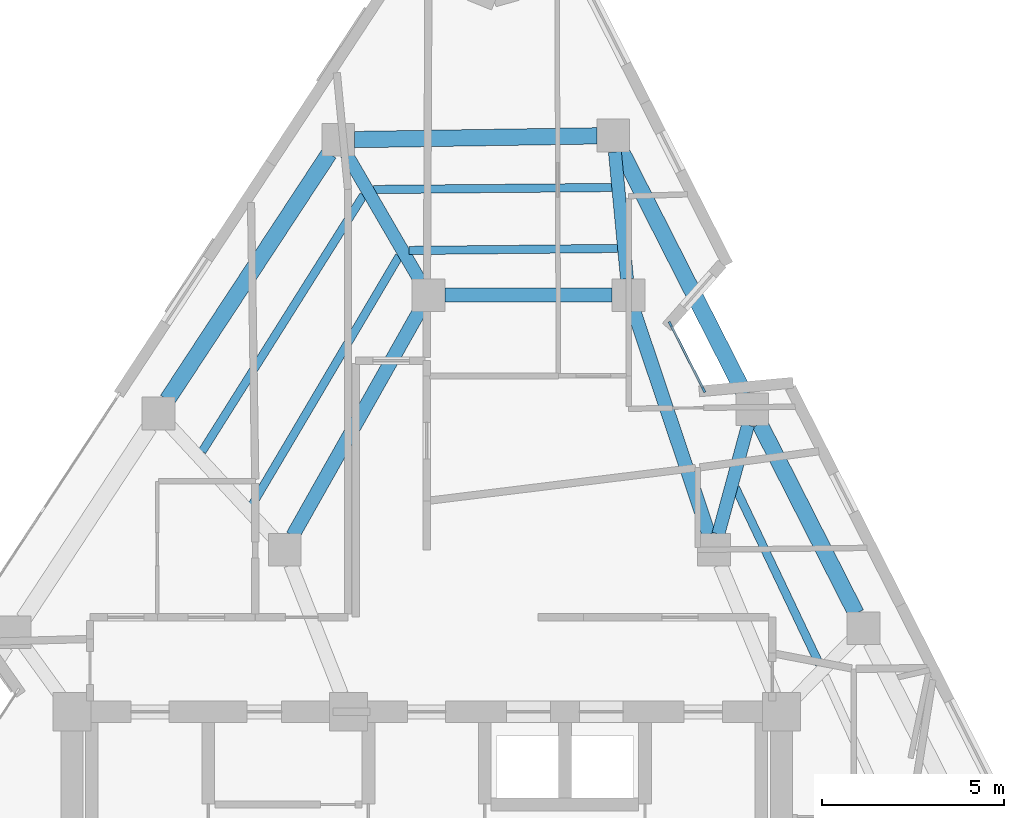
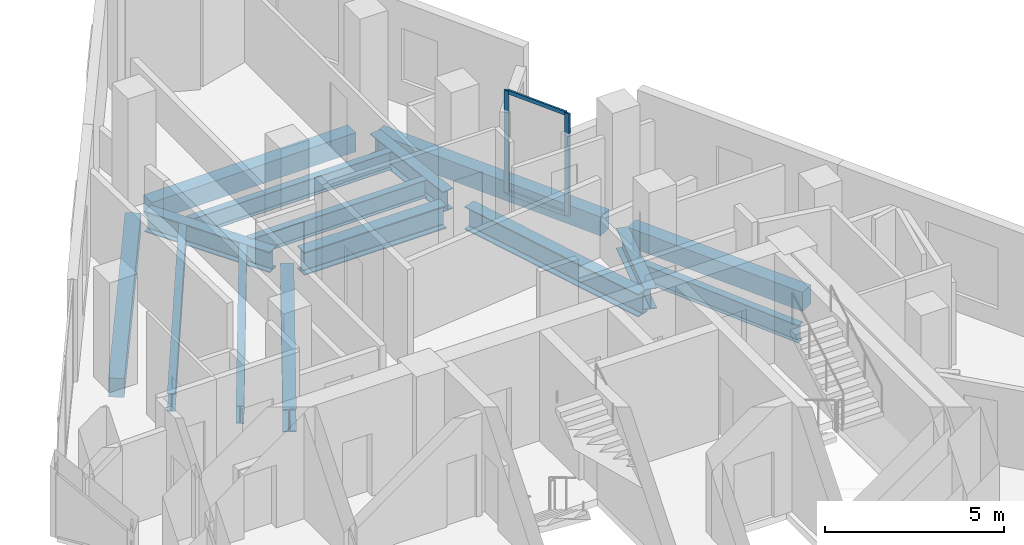
# One storey, part 3 of 9: 15 beams, 4 members, 1 element without a shape of its own.
"""IFC4 building model written with IfcOpenShell, lengths in metres."""

from ifc_helpers import new_model, si_unit, direction, frame, origin, origin_2d, place, context, subcontext, project, spatial, rectangle, i_section, extrude, material, layer, layer_set, material_profile, profile_set, type_object, element, aggregate, save


model = new_model("IFC4")

# Units and contexts
model_context = context("Model", 3, precision=1e-05, world=origin(), true_north=direction((0.0, 1.0)))
body_context = subcontext(model_context, "Body", "Model", "MODEL_VIEW")
ifc_project = project(units=[si_unit("LENGTHUNIT", "METRE"), si_unit("AREAUNIT", "SQUARE_METRE"), si_unit("VOLUMEUNIT", "CUBIC_METRE"), si_unit("PLANEANGLEUNIT", "RADIAN"), si_unit("MASSUNIT", "GRAM", prefix="KILO")], contexts=[model_context])

# Site, building, storey
site_placement = place(None, origin())
site = spatial("IfcSite", under=ifc_project, at=site_placement, CompositionType="ELEMENT")
building_placement = place(site_placement, origin())
building = spatial("IfcBuilding", under=site, at=building_placement, Name="Almagre Mirador Tower", CompositionType="ELEMENT")
storey_placement = place(building_placement, frame((0.0, 0.0, 248.25)))
storey = spatial("IfcBuildingStorey", under=building, at=storey_placement, Name="L64", CompositionType="ELEMENT", Elevation=248.25)

# Beams
ifc_material_1 = material(Name="Steel ASTM A992 Grade 50", Category="steel")
ifc_material_profile_1 = material_profile(ifc_material_1, i_section(OverallWidth=0.22802734375, OverallDepth=0.60791015625, WebThickness=0.01123046875, FlangeThickness=0.017333984375, FilletRadius=0.02001953125, at=origin_2d()), Name="W24X76")
ifc_profile_set_1 = profile_set([ifc_material_profile_1], Name="Steel ASTM A992 Grade 50")
beam_type_1 = type_object("IfcBeamType", Name="BM-JST-W24X76", PredefinedType="JOIST", material=ifc_profile_set_1)
beam_1_placement = place(storey_placement, frame((48.096923828125, 16.055908203125, -0.553955078125), z_axis=(-0.429692090604, 0.902975474347, 0.0), x_axis=(-0.902975474347, -0.429692090604, 0.0)))
element("IfcBeam", 1, at=beam_1_placement, inside=storey, type_object=beam_type_1, Name="L64 secondary floor joist PC06-PC07.2", PredefinedType="JOIST", context=body_context, shape_type="SweptSolid", body=[
    extrude(i_section(OverallWidth=0.22802734375, OverallDepth=0.60791015625, WebThickness=0.01123046875, FlangeThickness=0.017333984375, FilletRadius=0.02001953125, at=origin_2d()), origin(), (0.0, 0.0, 1.0), 5.376708984375),
])
beam_2_placement = place(storey_placement, frame((42.388916015625, 29.15869140625, -0.553955078125), z_axis=(-0.999965111065, -0.008353242024, 0.0), x_axis=(0.008353242024, -0.999965111065, 0.0)))
element("IfcBeam", 2, at=beam_2_placement, inside=storey, type_object=beam_type_1, Name="L64 secondary floor joist PC08-PC09.1", PredefinedType="JOIST", context=body_context, shape_type="SweptSolid", body=[
    extrude(i_section(OverallWidth=0.22802734375, OverallDepth=0.60791015625, WebThickness=0.01123046875, FlangeThickness=0.017333984375, FilletRadius=0.02001953125, at=origin_2d()), origin(), (0.0, 0.0, 1.0), 6.546875),
])
beam_3_placement = place(storey_placement, frame((42.548583984375, 27.483642578125, -0.553955078125), z_axis=(-0.999954093735, -0.009581775524, 0.0), x_axis=(0.009581775524, -0.999954093735, 0.0)))
element("IfcBeam", 3, at=beam_3_placement, inside=storey, type_object=beam_type_1, Name="L64 secondary floor joist PC08-PC09.3", PredefinedType="JOIST", context=body_context, shape_type="SweptSolid", body=[
    extrude(i_section(OverallWidth=0.22802734375, OverallDepth=0.60791015625, WebThickness=0.01123046875, FlangeThickness=0.017333984375, FilletRadius=0.02001953125, at=origin_2d()), origin(), (0.0, 0.0, 1.0), 5.73291015625),
])
beam_4_placement = place(storey_placement, frame((35.56787109375, 28.950927734375, -0.553955078125), z_axis=(-0.53290036914, -0.846177993433, 0.0), x_axis=(0.846177993433, -0.53290036914, 0.0)))
element("IfcBeam", 4, at=beam_4_placement, inside=storey, type_object=beam_type_1, Name="L64 secondary floor joist PC09-PC10.1", PredefinedType="JOIST", context=body_context, shape_type="SweptSolid", body=[
    extrude(i_section(OverallWidth=0.22802734375, OverallDepth=0.60791015625, WebThickness=0.01123046875, FlangeThickness=0.017333984375, FilletRadius=0.02001953125, at=origin_2d()), origin(), (0.0, 0.0, 1.0), 8.326171875),
])
beam_5_placement = place(storey_placement, frame((36.5458984375, 27.272705078125, -0.553955078125), z_axis=(-0.508805836919, -0.86088130443, 0.0), x_axis=(0.86088130443, -0.508805836919, 0.0)))
element("IfcBeam", 5, at=beam_5_placement, inside=storey, type_object=beam_type_1, Name="L64 secondary floor joist PC09-PC10.3", PredefinedType="JOIST", context=body_context, shape_type="SweptSolid", body=[
    extrude(i_section(OverallWidth=0.22802734375, OverallDepth=0.60791015625, WebThickness=0.01123046875, FlangeThickness=0.017333984375, FilletRadius=0.02001953125, at=origin_2d()), origin(), (0.0, 0.0, 1.0), 7.95361328125),
])
ifc_material_2 = material(Name="Precast concrete C50/60", Category="concrete")
ifc_material_profile_2 = material_profile(ifc_material_2, rectangle(XDim=0.449951171875, YDim=0.64990234375, at=origin_2d()), Name="RC450X650")
ifc_profile_set_2 = profile_set([ifc_material_profile_2], Name="Precast concrete C50/60")
beam_type_2 = type_object("IfcBeamType", Name="BM-SPN-RC450X650", PredefinedType="SPANDREL", material=ifc_profile_set_2)
beam_6_placement = place(storey_placement, frame((49.104248046875, 17.4501953125, -0.574951171875), z_axis=(-0.452899170526, 0.891561742863, 0.0), x_axis=(-0.891561742863, -0.452899170526, 0.0)))
element("IfcBeam", 6, at=beam_6_placement, inside=storey, type_object=beam_type_2, Name="L64 perimeter spandrel beam PC06-PC07", PredefinedType="SPANDREL", context=body_context, shape_type="SweptSolid", body=[
    extrude(rectangle(XDim=0.449951171875, YDim=0.64990234375, at=origin_2d()), origin(), (0.0, 0.0, 1.0), 5.84765625),
])
beam_7_placement = place(storey_placement, frame((46.048095703125, 23.46630859375, -0.574951171875), z_axis=(-0.452894484788, 0.891564123128, 0.0), x_axis=(-0.891564123128, -0.452894484788, 0.0)))
element("IfcBeam", 7, at=beam_7_placement, inside=storey, type_object=beam_type_2, Name="L64 perimeter spandrel beam PC07-PC08", PredefinedType="SPANDREL", context=body_context, shape_type="SweptSolid", body=[
    extrude(rectangle(XDim=0.449951171875, YDim=0.64990234375, at=origin_2d()), origin(), (0.0, 0.0, 1.0), 7.534423828125),
])
beam_8_placement = place(storey_placement, frame((41.982177734375, 30.578125, -0.574951171875), z_axis=(-0.999882180075, -0.015350112976, 0.0), x_axis=(0.015350112976, -0.999882180075, 0.0)))
element("IfcBeam", 8, at=beam_8_placement, inside=storey, type_object=beam_type_2, Name="L64 perimeter spandrel beam PC08-PC09", PredefinedType="SPANDREL", context=body_context, shape_type="SweptSolid", body=[
    extrude(rectangle(XDim=0.449951171875, YDim=0.64990234375, at=origin_2d()), origin(), (0.0, 0.0, 1.0), 6.6640625),
])
beam_9_placement = place(storey_placement, frame((34.621826171875, 30.093017578125, -0.574951171875), z_axis=(-0.54903769876, -0.835797586345, 0.0), x_axis=(0.835797586345, -0.54903769876, 0.0)))
element("IfcBeam", 9, at=beam_9_placement, inside=storey, type_object=beam_type_2, Name="L64 perimeter spandrel beam PC09-PC10", PredefinedType="SPANDREL", context=body_context, shape_type="SweptSolid", body=[
    extrude(rectangle(XDim=0.449951171875, YDim=0.64990234375, at=origin_2d()), origin(), (0.0, 0.0, 1.0), 8.097412109375),
])
ifc_material_3 = material(Name="Steel ASTM A992 Grade 50", Category="steel")
ifc_material_profile_3 = material_profile(ifc_material_3, i_section(OverallWidth=0.35791015625, OverallDepth=0.7060546875, WebThickness=0.018310546875, FlangeThickness=0.0302734375, FilletRadius=0.02197265625, at=origin_2d()), Name="W27X178")
ifc_profile_set_3 = profile_set([ifc_material_profile_3], Name="Steel ASTM A992 Grade 50")
beam_type_3 = type_object("IfcBeamType", Name="BM-STL-W27X178", PredefinedType="BEAM", material=ifc_profile_set_3)
beam_10_placement = place(storey_placement, frame((46.1337890625, 22.630859375, -0.60302734375), z_axis=(-0.26264509324, -0.964892509556, 0.0), x_axis=(0.964892509556, -0.26264509324, 0.0)))
element("IfcBeam", 10, at=beam_10_placement, inside=storey, type_object=beam_type_3, Name="L64 radial floor girder PC07-MC5", PredefinedType="BEAM", context=body_context, shape_type="SweptSolid", body=[
    extrude(i_section(OverallWidth=0.35791015625, OverallDepth=0.7060546875, WebThickness=0.018310546875, FlangeThickness=0.0302734375, FilletRadius=0.02197265625, at=origin_2d()), origin(), (0.0, 0.0, 1.0), 3.105712890625),
])
beam_11_placement = place(storey_placement, frame((42.474609375, 30.136962890625, -0.60302734375), z_axis=(0.094943868269, -0.995482627612, 0.0), x_axis=(0.995482627612, 0.094943868269, 0.0)))
element("IfcBeam", 11, at=beam_11_placement, inside=storey, type_object=beam_type_3, Name="L64 radial floor girder PC08-MC6", PredefinedType="BEAM", context=body_context, shape_type="SweptSolid", body=[
    extrude(i_section(OverallWidth=0.35791015625, OverallDepth=0.7060546875, WebThickness=0.018310546875, FlangeThickness=0.0302734375, FilletRadius=0.02197265625, at=origin_2d()), origin(), (0.0, 0.0, 1.0), 3.5048828125),
])
beam_12_placement = place(storey_placement, frame((35.09521484375, 30.079833984375, -0.60302734375), z_axis=(0.502449130804, -0.864606772443, 0.0), x_axis=(0.864606772443, 0.502449130804, 0.0)))
element("IfcBeam", 12, at=beam_12_placement, inside=storey, type_object=beam_type_3, Name="L64 radial floor girder PC09-MC7", PredefinedType="BEAM", context=body_context, shape_type="SweptSolid", body=[
    extrude(i_section(OverallWidth=0.35791015625, OverallDepth=0.7060546875, WebThickness=0.018310546875, FlangeThickness=0.0302734375, FilletRadius=0.02197265625, at=origin_2d()), origin(), (0.0, 0.0, 1.0), 4.037353515625),
])
ifc_material_4 = material(Name="Steel ASTM A992 Grade 50", Category="steel")
ifc_material_profile_4 = material_profile(ifc_material_4, i_section(OverallWidth=0.384033203125, OverallDepth=0.784912109375, WebThickness=0.019775390625, FlangeThickness=0.033447265625, FilletRadius=0.02392578125, at=origin_2d()), Name="W30X211")
ifc_profile_set_4 = profile_set([ifc_material_profile_4], Name="Steel ASTM A992 Grade 50")
beam_type_4 = type_object("IfcBeamType", Name="BM-STL-W30X211", PredefinedType="BEAM", material=ifc_profile_set_4)
beam_13_placement = place(storey_placement, frame((37.800048828125, 26.199951171875, -0.642578125), z_axis=(1.0, 0.0, 0.0), x_axis=(0.0, 1.0, 0.0)))
element("IfcBeam", 13, at=beam_13_placement, inside=storey, type_object=beam_type_4, Name="L64 core tie girder MC7-MC6", PredefinedType="BEAM", context=body_context, shape_type="SweptSolid", body=[
    extrude(i_section(OverallWidth=0.384033203125, OverallDepth=0.784912109375, WebThickness=0.019775390625, FlangeThickness=0.033447265625, FilletRadius=0.02392578125, at=origin_2d()), origin(), (0.0, 0.0, 1.0), 4.599853515625),
])
beam_14_placement = place(storey_placement, frame((42.9931640625, 25.7734375, -0.642578125), z_axis=(0.318282890726, -0.947995781357, 0.0), x_axis=(0.947995781357, 0.318282890726, 0.0)))
element("IfcBeam", 14, at=beam_14_placement, inside=storey, type_object=beam_type_4, Name="L64 core tie girder MC6-MC5", PredefinedType="BEAM", context=body_context, shape_type="SweptSolid", body=[
    extrude(i_section(OverallWidth=0.384033203125, OverallDepth=0.784912109375, WebThickness=0.019775390625, FlangeThickness=0.033447265625, FilletRadius=0.02392578125, at=origin_2d()), origin(), (0.0, 0.0, 1.0), 6.48388671875),
])
beam_15_placement = place(storey_placement, frame((37.12890625, 25.80810546875, -0.642578125), z_axis=(-0.491446261843, -0.870907900825, 0.0), x_axis=(0.870907900825, -0.491446261843, 0.0)))
element("IfcBeam", 15, at=beam_15_placement, inside=storey, type_object=beam_type_4, Name="L64 core tie girder MC7-MC8", PredefinedType="BEAM", context=body_context, shape_type="SweptSolid", body=[
    extrude(i_section(OverallWidth=0.384033203125, OverallDepth=0.784912109375, WebThickness=0.019775390625, FlangeThickness=0.033447265625, FilletRadius=0.02392578125, at=origin_2d()), origin(), (0.0, 0.0, 1.0), 7.1376953125),
])

# Curtain wall, members
ifc_material_5 = material(Name="Black anodized aluminium", Category="aluminium")
ifc_layer = layer(ifc_material_5, 0.169921875)
ifc_layer_set = layer_set([ifc_layer], Name="Black anodized aluminium")
curtain_wall_type = type_object("IfcCurtainWallType", Name="CW-CRS-SYS", PredefinedType="NOTDEFINED", material=ifc_layer_set)
curtain_wall_placement = place(storey_placement, origin())
curtain_wall = element("IfcCurtainWall", 16, at=curtain_wall_placement, inside=storey, type_object=curtain_wall_type, Name="L64 vertical crease curtain wall 03", PredefinedType="NOTDEFINED")
ifc_material_6 = material(Name="Black anodized aluminium", Category="aluminium")
ifc_material_profile_5 = material_profile(ifc_material_6, rectangle(XDim=0.06005859375, YDim=0.14990234375, at=origin_2d()), Name="CWM60X150")
ifc_profile_set_5 = profile_set([ifc_material_profile_5], Name="Black anodized aluminium")
member_type_1 = type_object("IfcMemberType", Name="MBR-CWM60X150", PredefinedType="MULLION", material=ifc_profile_set_5)
member_1_placement = place(storey_placement, frame((43.99755859375, 25.40625, 0.0), z_axis=(0.0, 0.0, 1.0), x_axis=(0.891732118686, 0.452563618183, 0.0)))
member_1 = element("IfcMember", 17, at=member_1_placement, type_object=member_type_1, Name="CW-4 mullion 1", PredefinedType="MULLION", context=body_context, shape_type="SweptSolid", body=[
    extrude(rectangle(XDim=0.06005859375, YDim=0.14990234375, at=origin_2d()), origin(), (0.0, 0.0, 1.0), 3.5),
])
member_2_placement = place(storey_placement, frame((44.91650390625, 23.595703125, 0.0), z_axis=(0.0, 0.0, 1.0), x_axis=(0.891732118686, 0.452563618183, 0.0)))
member_2 = element("IfcMember", 18, at=member_2_placement, type_object=member_type_1, Name="CW-4 mullion 2", PredefinedType="MULLION", context=body_context, shape_type="SweptSolid", body=[
    extrude(rectangle(XDim=0.06005859375, YDim=0.14990234375, at=origin_2d()), origin(), (0.0, 0.0, 1.0), 3.5),
])
ifc_material_7 = material(Name="Black anodized aluminium", Category="aluminium")
ifc_material_profile_6 = material_profile(ifc_material_7, rectangle(XDim=0.06005859375, YDim=0.1298828125, at=origin_2d()), Name="CWT60X130")
ifc_profile_set_6 = profile_set([ifc_material_profile_6], Name="Black anodized aluminium")
member_type_2 = type_object("IfcMemberType", Name="MBR-CWT60X130", PredefinedType="USERDEFINED", material=ifc_profile_set_6)
member_3_placement = place(storey_placement, frame((44.01123046875, 25.37939453125, 0.030029296875), z_axis=(0.45255896606, -0.891734479674, 0.0), x_axis=(0.891734479674, 0.45255896606, 0.0)))
member_3 = element("IfcMember", 19, at=member_3_placement, type_object=member_type_2, Name="CW-4 transom 1.1", ObjectType="TRANSOM", PredefinedType="USERDEFINED", context=body_context, shape_type="SweptSolid", body=[
    extrude(rectangle(XDim=0.06005859375, YDim=0.1298828125, at=origin_2d()), origin(), (0.0, 0.0, 1.0), 1.97021484375),
])
member_4_placement = place(storey_placement, frame((44.01123046875, 25.37939453125, 3.469970703125), z_axis=(0.45255896606, -0.891734479674, 0.0), x_axis=(0.891734479674, 0.45255896606, 0.0)))
member_4 = element("IfcMember", 20, at=member_4_placement, type_object=member_type_2, Name="CW-4 transom 1.2", ObjectType="TRANSOM", PredefinedType="USERDEFINED", context=body_context, shape_type="SweptSolid", body=[
    extrude(rectangle(XDim=0.06005859375, YDim=0.1298828125, at=origin_2d()), origin(), (0.0, 0.0, 1.0), 1.97021484375),
])
aggregate(curtain_wall, [member_1, member_2, member_3, member_4])

save(model, "model.ifc")
